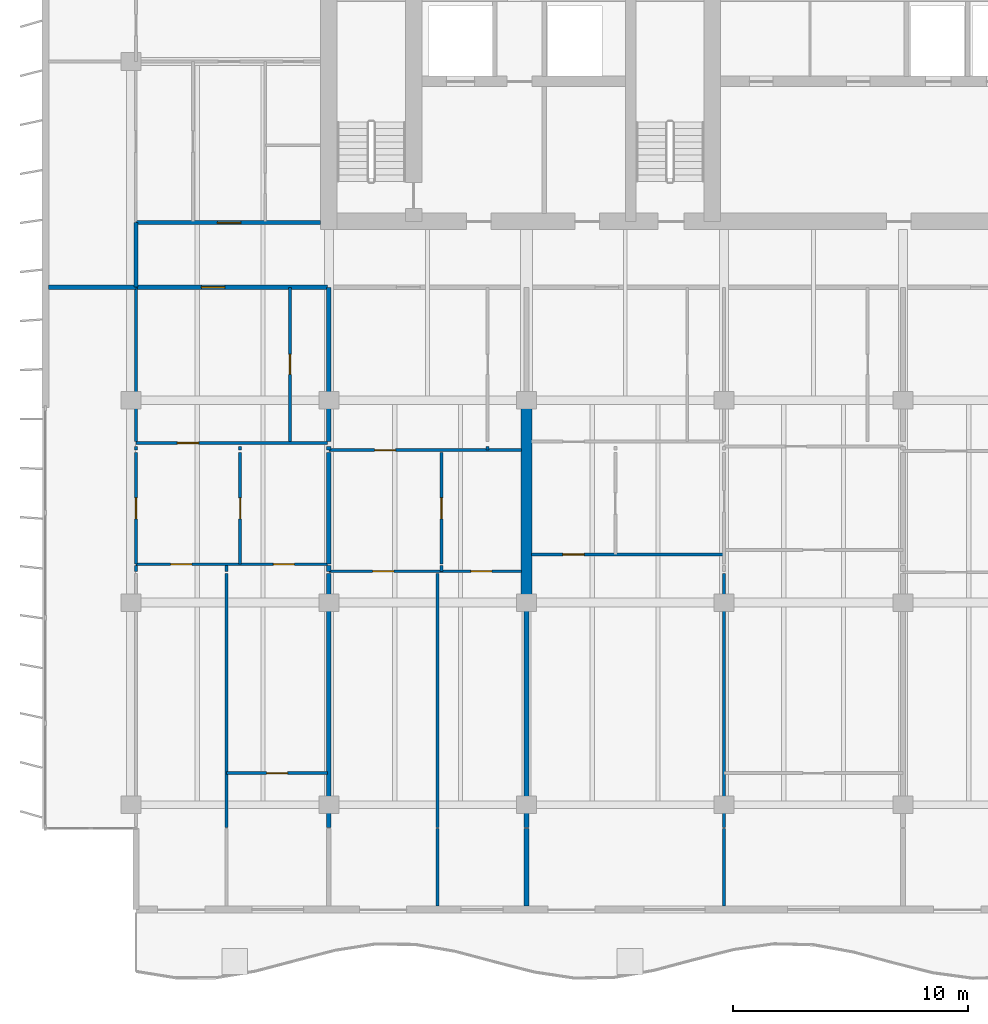
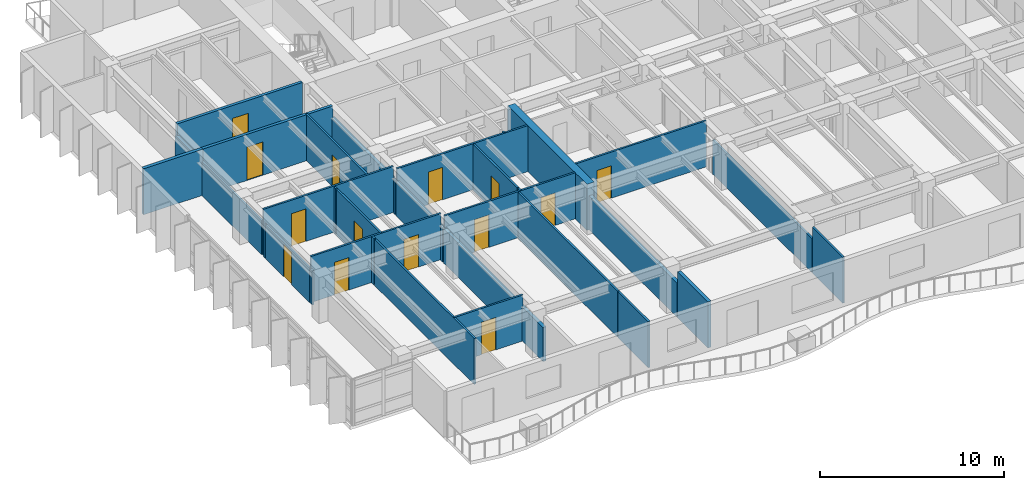
# One storey, part 8 of 19: 34 walls, 14 doors, 14 openings.
"""IFC4 building model written with IfcOpenShell, lengths in metres."""

import ifcopenshell
import ifcopenshell.guid

model = None  # the IFC model being written
_history = None  # IfcOwnerHistory: only IFC2X3 demands one
_inside = {}  # id of a spatial element -> (the spatial element, [elements in it])
_under = {}  # id of a project, library or spatial element -> (it, [spatial elements below it])
_declared = {}  # id of a project -> (the project, [libraries it declares])
_typed = {}  # id of a type object -> (the type object, [elements of that type])
_made_of = {}  # id of a material, layer set ... -> (it, [elements and type objects made of it])


def new_model(schema):
    """Start an empty IFC model of exactly this schema.

    Asked for "IFC4X3", IfcOpenShell would pick the latest addendum, in which some entities
    have other attributes; the version numbers below select the first issue.
    IFC2X3 requires an IfcOwnerHistory on every rooted entity: one is made here for all.
    """
    global model, _history
    if schema == "IFC4X3":
        model = ifcopenshell.file(schema_version=(4, 3, 0, 0))
    else:
        model = ifcopenshell.file(schema=schema)
    _inside.clear()
    _under.clear()
    _declared.clear()
    _typed.clear()
    _made_of.clear()
    _history = None
    if model.schema == "IFC2X3":
        org = make("IfcOrganization", Name="unknown")
        user = make(
            "IfcPersonAndOrganization",
            ThePerson=make("IfcPerson", FamilyName="unknown"),
            TheOrganization=org,
        )
        app = make(
            "IfcApplication",
            ApplicationDeveloper=org,
            Version="unknown",
            ApplicationFullName="unknown",
            ApplicationIdentifier="unknown",
        )
        _history = make(
            "IfcOwnerHistory",
            OwningUser=user,
            OwningApplication=app,
            ChangeAction="ADDED",
            CreationDate=0,
        )
    return model


def make(cls, **values):
    """One entity of the class cls with the attributes given. An attribute that is None is left unset."""
    return model.create_entity(
        cls, **{name: value for name, value in values.items() if value is not None}
    )


def rooted(cls, **values):
    """An entity with a GlobalId (a new one), such as an element, a storey or a relation."""
    return make(cls, GlobalId=ifcopenshell.guid.new(), OwnerHistory=_history, **values)


def si_unit(unit_type, name, prefix=None):
    """IfcSIUnit, for example si_unit("LENGTHUNIT", "METRE", prefix="MILLI")."""
    return make("IfcSIUnit", UnitType=unit_type, Prefix=prefix, Name=name)


def assignment(units):
    """IfcUnitAssignment: the units of a project."""
    return None if units is None else make("IfcUnitAssignment", Units=units)


def point(xyz):
    """IfcCartesianPoint."""
    return None if xyz is None else make("IfcCartesianPoint", Coordinates=xyz)


def direction(xyz):
    """IfcDirection."""
    return None if xyz is None else make("IfcDirection", DirectionRatios=xyz)


def frame(location, z_axis=None, x_axis=None):
    """IfcAxis2Placement3D, a coordinate frame: its origin and axes. An axis left out is left unset."""
    return make(
        "IfcAxis2Placement3D",
        Location=point(location),
        Axis=direction(z_axis),
        RefDirection=direction(x_axis),
    )


def frame_2d(location, x_axis=None):
    """IfcAxis2Placement2D, a coordinate frame in the plane: its origin and x axis."""
    return make(
        "IfcAxis2Placement2D", Location=point(location), RefDirection=direction(x_axis)
    )


def origin():
    """The frame at (0, 0, 0) with its axes left unset."""
    return frame((0.0, 0.0, 0.0))


def place(relative_to, where):
    """IfcLocalPlacement: puts the frame where relative to a parent placement (None: the world)."""
    return make(
        "IfcLocalPlacement", PlacementRelTo=relative_to, RelativePlacement=where
    )


def context(
    kind, dimensions, precision=None, world=None, true_north=None, identifier=None
):
    """IfcGeometricRepresentationContext, for example the 3D "Model" context."""
    return make(
        "IfcGeometricRepresentationContext",
        ContextIdentifier=identifier,
        ContextType=kind,
        CoordinateSpaceDimension=dimensions,
        Precision=precision,
        WorldCoordinateSystem=world,
        TrueNorth=true_north,
    )


def subcontext(parent, identifier, kind, view, scale=None):
    """IfcGeometricRepresentationSubContext, for example "Body" below "Model"."""
    return make(
        "IfcGeometricRepresentationSubContext",
        ContextIdentifier=identifier,
        ContextType=kind,
        ParentContext=parent,
        TargetScale=scale,
        TargetView=view,
    )


def project(units=None, contexts=None):
    """IfcProject with its units and contexts."""
    return rooted(
        "IfcProject",
        Name="project",
        RepresentationContexts=contexts,
        UnitsInContext=assignment(units),
    )


def spatial(cls, under=None, at=None, **own):
    """A site, building, storey or space (cls), placed at a placement, below another one or the project."""
    s = rooted(cls, ObjectPlacement=at, **own)
    if under is not None:
        _under.setdefault(under.id(), (under, []))[1].append(s)
    return s


def profile(cls, at=None, kind="AREA", **sizes):
    """A parametric profile (cls). Its sizes go by their IFC names, for example OverallWidth=200.0."""
    return make(cls, ProfileType=kind, Position=at, **sizes)


def rectangle(**sizes):
    """IfcRectangleProfileDef."""
    return profile("IfcRectangleProfileDef", **sizes)


def extrude(swept, where, along, depth):
    """IfcExtrudedAreaSolid: the profile swept, set in the frame where, extruded along a direction by depth."""
    return make(
        "IfcExtrudedAreaSolid",
        SweptArea=swept,
        Position=where,
        ExtrudedDirection=direction(along),
        Depth=depth,
    )


def shape(context_of_items, identifier, shape_type, items):
    """IfcShapeRepresentation: the items that make up one representation, for example the "Body"."""
    return make(
        "IfcShapeRepresentation",
        ContextOfItems=context_of_items,
        RepresentationIdentifier=identifier,
        RepresentationType=shape_type,
        Items=items,
    )


def material(Name=None, Category=None):
    """IfcMaterial."""
    return make("IfcMaterial", Name=Name, Category=Category)


def layer(
    of_material, thickness, ventilated=None, Name=None, Category=None, Priority=None
):
    """IfcMaterialLayer: one layer of a wall or slab, of a material (None: an air gap)."""
    return make(
        "IfcMaterialLayer",
        Material=of_material,
        LayerThickness=thickness,
        IsVentilated=ventilated,
        Name=Name,
        Category=Category,
        Priority=Priority,
    )


def layer_set(layers, Name=None):
    """IfcMaterialLayerSet."""
    return make("IfcMaterialLayerSet", MaterialLayers=layers, LayerSetName=Name)


def made_of(thing, what):
    """Note that an element or type object is made of a material, layer set ...; save() writes the relation."""
    if what is not None:
        _made_of.setdefault(what.id(), (what, []))[1].append(thing)
    return thing


def type_object(cls, material=None, **own):
    """A type object (cls), such as IfcWallType, which elements share."""
    return made_of(rooted(cls, **own), material)


def element(
    cls,
    number,
    at=None,
    inside=None,
    cuts=None,
    type_object=None,
    material=None,
    context=None,
    identifier="Body",
    shape_type=None,
    held_by="IfcProductDefinitionShape",
    body=None,
    shapes=None,
    **own,
):
    """One element of the class cls, such as IfcWall. Its Tag is "e" and its number.

    at: its placement. inside: the storey or other place that contains it. cuts: it is an
    opening in that element (IfcRelVoidsElement). A single representation is given by context,
    identifier, shape_type and body (its items); several are given by shapes. held_by: the class
    of the entity that holds the representations. save() writes the other relations.
    """
    e = rooted(cls, Tag="e%d" % number, ObjectPlacement=at, **own)
    if body is not None:
        shapes = [shape(context, identifier, shape_type, body)]
    if shapes is not None:
        e.Representation = make(held_by, Representations=shapes)
    if inside is not None:
        _inside.setdefault(inside.id(), (inside, []))[1].append(e)
    if cuts is not None:
        rooted(
            "IfcRelVoidsElement", RelatingBuildingElement=cuts, RelatedOpeningElement=e
        )
    if type_object is not None:
        _typed.setdefault(type_object.id(), (type_object, []))[1].append(e)
    return made_of(e, material)


def fill(opening, filler):
    """IfcRelFillsElement: the door or window that sits in an opening."""
    return rooted(
        "IfcRelFillsElement",
        RelatingOpeningElement=opening,
        RelatedBuildingElement=filler,
    )


def aggregate(whole, parts):
    """IfcRelAggregates: a whole, such as a stair, and the parts it consists of."""
    return rooted("IfcRelAggregates", RelatingObject=whole, RelatedObjects=parts)


def save(model, path):
    """Write the relations noted so far, then the file.

    IfcRelAggregates (storeys below a building ...), IfcRelContainedInSpatialStructure (elements
    in a storey), IfcRelDefinesByType, IfcRelAssociatesMaterial and IfcRelDeclares: one each for
    every whole, place, type object, material and project.
    """
    for whole, parts in _under.values():
        aggregate(whole, parts)
    for where, things in _inside.values():
        rooted(
            "IfcRelContainedInSpatialStructure",
            RelatedElements=things,
            RelatingStructure=where,
        )
    for kind, things in _typed.values():
        rooted("IfcRelDefinesByType", RelatedObjects=things, RelatingType=kind)
    for what, things in _made_of.values():
        rooted("IfcRelAssociatesMaterial", RelatedObjects=things, RelatingMaterial=what)
    for by, libraries in _declared.values():
        rooted("IfcRelDeclares", RelatingContext=by, RelatedDefinitions=libraries)
    model.write(path)


model = new_model("IFC4")

# Units and contexts
model_context = context("Model", 3, precision=1e-05, world=origin(), true_north=direction((0.0, 1.0)))
body_context = subcontext(model_context, "Body", "Model", "MODEL_VIEW")
ifc_project = project(units=[si_unit("LENGTHUNIT", "METRE"), si_unit("AREAUNIT", "SQUARE_METRE"), si_unit("VOLUMEUNIT", "CUBIC_METRE"), si_unit("PLANEANGLEUNIT", "RADIAN"), si_unit("MASSUNIT", "GRAM", prefix="KILO")], contexts=[model_context])

# Site, building, storey
site_placement = place(None, origin())
site = spatial("IfcSite", under=ifc_project, at=site_placement, CompositionType="ELEMENT")
building_placement = place(site_placement, origin())
building = spatial("IfcBuilding", under=site, at=building_placement, Name="Caelmar Bay Residences", CompositionType="ELEMENT")
storey_placement = place(building_placement, frame((0.0, 0.0, 160.5)))
storey = spatial("IfcBuildingStorey", under=building, at=storey_placement, Name="L44", CompositionType="ELEMENT", Elevation=160.5)

# Walls
ifc_material_1 = material(Name="Concrete f'c 55 MPa (8,000 psi)", Category="concrete")
ifc_layer_1 = layer(ifc_material_1, 0.449951171875)
ifc_layer_set_1 = layer_set([ifc_layer_1], Name="Concrete f'c 55 MPa (8,000 psi)")
wall_type_1 = type_object("IfcWallType", Name="SW-XSLB-450", PredefinedType="SHEAR", material=ifc_layer_set_1)
wall_1_placement = place(storey_placement, frame((26.699951171875, 20.800048828125, 0.0), z_axis=(0.0, 0.0, 1.0), x_axis=(0.0, 1.0, 0.0)))
element("IfcWall", 1, at=wall_1_placement, inside=storey, type_object=wall_type_1, Name="L44 Transverse Cross-Slab Shear Wall W5", PredefinedType="SHEAR", context=body_context, shape_type="SweptSolid", body=[
    extrude(rectangle(XDim=8.599853515625, YDim=0.449951171875, at=frame_2d((4.2998046875, 0.0))), origin(), (0.0, 0.0, 1.0), 3.050048828125),
])
ifc_material_2 = material(Name="Double-stud acoustic fire-rated gypsum partition 180 mm")
ifc_layer_2 = layer(ifc_material_2, 0.179931640625)
ifc_layer_set_2 = layer_set([ifc_layer_2], Name="Double-stud acoustic fire-rated gypsum partition 180 mm")
wall_type_2 = type_object("IfcWallType", Name="W-COR-200", PredefinedType="PARTITIONING", material=ifc_layer_set_2)
wall_2_placement = place(storey_placement, frame((10.10009765625, 34.205078125, 0.0), z_axis=(0.0, 0.0, 1.0), x_axis=(0.0, 1.0, 0.0)))
element("IfcWall", 2, at=wall_2_placement, inside=storey, type_object=wall_type_2, Name="L44 Partition Wall V006", PredefinedType="PARTITIONING", context=body_context, shape_type="SweptSolid", body=[
    extrude(rectangle(XDim=2.744873046875, YDim=0.179931640625, at=frame_2d((1.37255859375, 0.0))), origin(), (0.0, 0.0, 1.0), 2.262939453125),
])

# Wall, opening, door
wall_3_placement = place(storey_placement, frame((10.10498046875, 34.199951171875, 0.0), z_axis=(0.0, 0.0, 1.0), x_axis=(1.0, 0.0, 0.0)))
wall_3 = element("IfcWall", 3, at=wall_3_placement, inside=storey, type_object=wall_type_2, Name="L44 Partition Wall H122", PredefinedType="PARTITIONING", context=body_context, shape_type="SweptSolid", body=[
    extrude(rectangle(XDim=8.14501953125, YDim=0.179931640625, at=frame_2d((4.072509765625, 0.0))), origin(), (0.0, 0.0, 1.0), 3.050048828125),
])
opening_1_placement = place(wall_3_placement, frame((2.7724609375, 0.0, 0.0)))
opening_1 = element("IfcOpeningElement", 4, at=opening_1_placement, cuts=wall_3, Name="Opening D-L44-122", PredefinedType="OPENING", context=body_context, shape_type="SweptSolid", body=[
    extrude(rectangle(XDim=1.0, YDim=2.199951171875, at=frame_2d((0.5, 1.10009765625))), frame((0.0, 0.099853515625, 0.0), z_axis=(0.0, -1.0, 0.0), x_axis=(1.0, 0.0, 0.0)), (0.0, 0.0, 1.0), 0.199951171875),
])
ifc_material_3 = material(Name="Fire-rated steel and walnut architectural door assembly", Category="steel")
ifc_layer_3 = layer(ifc_material_3, 0.050048828125)
ifc_layer_set_3 = layer_set([ifc_layer_3], Name="Fire-rated steel and walnut architectural door assembly")
door_type_1 = type_object("IfcDoorType", Name="D-UNIT-1000", OperationType="NOTDEFINED", PredefinedType="DOOR", material=ifc_layer_set_3)
door_1_placement = place(opening_1_placement, origin())
door_1 = element("IfcDoor", 5, at=door_1_placement, inside=storey, type_object=door_type_1, Name="L44 Residence 01 Apartment Hall Door", OperationType="SINGLE_SWING_LEFT", OverallHeight=2.199951171875, OverallWidth=1.0, PredefinedType="DOOR", context=body_context, shape_type="SweptSolid", body=[
    extrude(rectangle(XDim=1.0, YDim=2.199951171875, at=frame_2d((0.5, 1.10009765625))), frame((0.0, 0.02490234375, 0.0), z_axis=(0.0, -1.0, 0.0), x_axis=(1.0, 0.0, 0.0)), (0.0, 0.0, 1.0), 0.050048828125),
])
fill(opening_1, door_1)

wall_4_placement = place(storey_placement, frame((10.10009765625, 36.949951171875, 0.0), z_axis=(0.0, 0.0, 1.0), x_axis=(1.0, 0.0, 0.0)))
wall_4 = element("IfcWall", 6, at=wall_4_placement, inside=storey, type_object=wall_type_2, Name="L44 Partition Wall H127", PredefinedType="PARTITIONING", context=body_context, shape_type="SweptSolid", body=[
    extrude(rectangle(XDim=7.844970703125, YDim=0.179931640625, at=frame_2d((3.92236328125, 0.0))), origin(), (0.0, 0.0, 1.0), 3.050048828125),
])
opening_2_placement = place(wall_4_placement, frame((3.4599609375, 0.0, 0.0)))
opening_2 = element("IfcOpeningElement", 7, at=opening_2_placement, cuts=wall_4, Name="Opening D-L44-167", PredefinedType="OPENING", context=body_context, shape_type="SweptSolid", body=[
    extrude(rectangle(XDim=1.0, YDim=2.199951171875, at=frame_2d((0.5, 1.10009765625))), frame((0.0, 0.099853515625, 0.0), z_axis=(0.0, -1.0, 0.0), x_axis=(1.0, 0.0, 0.0)), (0.0, 0.0, 1.0), 0.199951171875),
])
door_2_placement = place(opening_2_placement, origin())
door_2 = element("IfcDoor", 8, at=door_2_placement, inside=storey, type_object=door_type_1, Name="L44 Residence WA Kitchen Door", OperationType="SINGLE_SWING_RIGHT", OverallHeight=2.199951171875, OverallWidth=1.0, PredefinedType="DOOR", context=body_context, shape_type="SweptSolid", body=[
    extrude(rectangle(XDim=1.0, YDim=2.199951171875, at=frame_2d((0.5, 1.10009765625))), frame((0.0, 0.02490234375, 0.0), z_axis=(0.0, -1.0, 0.0), x_axis=(1.0, 0.0, 0.0)), (0.0, 0.0, 1.0), 0.050048828125),
])
fill(opening_2, door_2)

# Wall
ifc_material_4 = material(Name="Acoustic metal-stud gypsum partition 120 mm")
ifc_layer_4 = layer(ifc_material_4, 0.1201171875)
ifc_layer_set_4 = layer_set([ifc_layer_4], Name="Acoustic metal-stud gypsum partition 120 mm")
wall_type_3 = type_object("IfcWallType", Name="W-PRT-120", PredefinedType="PARTITIONING", material=ifc_layer_set_4)
wall_5_placement = place(storey_placement, frame((10.10009765625, 22.1298828125, 0.0), z_axis=(0.0, 0.0, 1.0), x_axis=(0.0, 1.0, 0.0)))
element("IfcWall", 9, at=wall_5_placement, inside=storey, type_object=wall_type_3, Name="L44 Partition Wall V002", PredefinedType="PARTITIONING", context=body_context, shape_type="SweptSolid", body=[
    extrude(rectangle(XDim=0.240234375, YDim=0.1201171875, at=frame_2d((0.1201171875, 0.0))), origin(), (0.0, 0.0, 1.0), 2.262939453125),
])

# Wall, opening, door
wall_6_placement = place(storey_placement, frame((10.10009765625, 22.429931640625, 0.0), z_axis=(0.0, 0.0, 1.0), x_axis=(0.0, 1.0, 0.0)))
wall_6 = element("IfcWall", 10, at=wall_6_placement, inside=storey, type_object=wall_type_3, Name="L44 Partition Wall V003", PredefinedType="PARTITIONING", context=body_context, shape_type="SweptSolid", body=[
    extrude(rectangle(XDim=4.75, YDim=0.1201171875, at=frame_2d((2.375, 0.0))), origin(), (0.0, 0.0, 1.0), 2.262939453125),
])
opening_3_placement = place(wall_6_placement, frame((1.925048828125, 0.0, 0.0)))
opening_3 = element("IfcOpeningElement", 11, at=opening_3_placement, cuts=wall_6, Name="Opening D-L44-164", PredefinedType="OPENING", context=body_context, shape_type="SweptSolid", body=[
    extrude(rectangle(XDim=0.89990234375, YDim=2.14990234375, at=frame_2d((0.449951171875, 1.074951171875))), frame((0.0, 0.070068359375, 0.0), z_axis=(0.0, -1.0, 0.0), x_axis=(1.0, 0.0, 0.0)), (0.0, 0.0, 1.0), 0.14013671875),
])
ifc_material_5 = material(Name="Solid walnut timber interior door leaf and frame", Category="wood")
ifc_layer_5 = layer(ifc_material_5, 0.050048828125)
ifc_layer_set_5 = layer_set([ifc_layer_5], Name="Solid walnut timber interior door leaf and frame")
door_type_2 = type_object("IfcDoorType", Name="D-ROOM-900", OperationType="NOTDEFINED", PredefinedType="DOOR", material=ifc_layer_set_5)
door_3_placement = place(opening_3_placement, origin())
door_3 = element("IfcDoor", 12, at=door_3_placement, inside=storey, type_object=door_type_2, Name="L44 Residence 01 Penthouse West Salon Door", OperationType="SINGLE_SWING_LEFT", OverallHeight=2.14990234375, OverallWidth=0.89990234375, PredefinedType="DOOR", context=body_context, shape_type="SweptSolid", body=[
    extrude(rectangle(XDim=0.89990234375, YDim=2.14990234375, at=frame_2d((0.449951171875, 1.074951171875))), frame((0.0, 0.02490234375, 0.0), z_axis=(0.0, -1.0, 0.0), x_axis=(1.0, 0.0, 0.0)), (0.0, 0.0, 1.0), 0.050048828125),
])
fill(opening_3, door_3)

# Walls
wall_7_placement = place(storey_placement, frame((10.10009765625, 27.280029296875, 0.0), z_axis=(0.0, 0.0, 1.0), x_axis=(0.0, 1.0, 0.0)))
element("IfcWall", 13, at=wall_7_placement, inside=storey, type_object=wall_type_3, Name="L44 Partition Wall V004", PredefinedType="PARTITIONING", context=body_context, shape_type="SweptSolid", body=[
    extrude(rectangle(XDim=0.159912109375, YDim=0.1201171875, at=frame_2d((0.080078125, 0.0))), origin(), (0.0, 0.0, 1.0), 2.262939453125),
])
wall_8_placement = place(storey_placement, frame((10.10009765625, 27.639892578125, 0.0), z_axis=(0.0, 0.0, 1.0), x_axis=(0.0, 1.0, 0.0)))
element("IfcWall", 14, at=wall_8_placement, inside=storey, type_object=wall_type_3, Name="L44 Partition Wall V005", PredefinedType="PARTITIONING", context=body_context, shape_type="SweptSolid", body=[
    extrude(rectangle(XDim=6.56005859375, YDim=0.1201171875, at=frame_2d((3.280029296875, 0.0))), origin(), (0.0, 0.0, 1.0), 2.262939453125),
])
wall_9_placement = place(storey_placement, frame((13.9541015625, 11.239990234375, 0.0), z_axis=(0.0, 0.0, 1.0), x_axis=(0.0, 1.0, 0.0)))
element("IfcWall", 15, at=wall_9_placement, inside=storey, type_object=wall_type_3, Name="L44 Partition Wall V011", PredefinedType="PARTITIONING", context=body_context, shape_type="SweptSolid", body=[
    extrude(rectangle(XDim=10.7900390625, YDim=0.1201171875, at=frame_2d((5.39501953125, 0.0))), origin(), (0.0, 0.0, 1.0), 3.050048828125),
])
wall_10_placement = place(storey_placement, frame((13.9541015625, 22.1298828125, 0.0), z_axis=(0.0, 0.0, 1.0), x_axis=(0.0, 1.0, 0.0)))
element("IfcWall", 16, at=wall_10_placement, inside=storey, type_object=wall_type_3, Name="L44 Partition Wall V012", PredefinedType="PARTITIONING", context=body_context, shape_type="SweptSolid", body=[
    extrude(rectangle(XDim=0.240234375, YDim=0.1201171875, at=frame_2d((0.1201171875, 0.0))), origin(), (0.0, 0.0, 1.0), 3.050048828125),
])

# Wall, opening, door
wall_11_placement = place(storey_placement, frame((14.528076171875, 22.429931640625, 0.0), z_axis=(0.0, 0.0, 1.0), x_axis=(0.0, 1.0, 0.0)))
wall_11 = element("IfcWall", 17, at=wall_11_placement, inside=storey, type_object=wall_type_3, Name="L44 Partition Wall V013", PredefinedType="PARTITIONING", context=body_context, shape_type="SweptSolid", body=[
    extrude(rectangle(XDim=4.75, YDim=0.1201171875, at=frame_2d((2.375, 0.0))), origin(), (0.0, 0.0, 1.0), 3.050048828125),
])
opening_4_placement = place(wall_11_placement, frame((1.925048828125, 0.0, 0.0)))
opening_4 = element("IfcOpeningElement", 18, at=opening_4_placement, cuts=wall_11, Name="Opening D-L44-125", PredefinedType="OPENING", context=body_context, shape_type="SweptSolid", body=[
    extrude(rectangle(XDim=0.89990234375, YDim=2.14990234375, at=frame_2d((0.449951171875, 1.074951171875))), frame((0.0, 0.070068359375, 0.0), z_axis=(0.0, -1.0, 0.0), x_axis=(1.0, 0.0, 0.0)), (0.0, 0.0, 1.0), 0.14013671875),
])
door_4_placement = place(opening_4_placement, origin())
door_4 = element("IfcDoor", 19, at=door_4_placement, inside=storey, type_object=door_type_2, Name="L44 Residence 01 Study Door", OperationType="SINGLE_SWING_RIGHT", OverallHeight=2.14990234375, OverallWidth=0.89990234375, PredefinedType="DOOR", context=body_context, shape_type="SweptSolid", body=[
    extrude(rectangle(XDim=0.89990234375, YDim=2.14990234375, at=frame_2d((0.449951171875, 1.074951171875))), frame((0.0, 0.02490234375, 0.0), z_axis=(0.0, -1.0, 0.0), x_axis=(1.0, 0.0, 0.0)), (0.0, 0.0, 1.0), 0.050048828125),
])
fill(opening_4, door_4)

# Wall
wall_12_placement = place(storey_placement, frame((14.528076171875, 27.280029296875, 0.0), z_axis=(0.0, 0.0, 1.0), x_axis=(0.0, 1.0, 0.0)))
element("IfcWall", 20, at=wall_12_placement, inside=storey, type_object=wall_type_3, Name="L44 Partition Wall V014", PredefinedType="PARTITIONING", context=body_context, shape_type="SweptSolid", body=[
    extrude(rectangle(XDim=0.159912109375, YDim=0.1201171875, at=frame_2d((0.080078125, 0.0))), origin(), (0.0, 0.0, 1.0), 3.050048828125),
])

# Wall, opening, door
wall_13_placement = place(storey_placement, frame((16.64990234375, 27.639892578125, 0.0), z_axis=(0.0, 0.0, 1.0), x_axis=(0.0, 1.0, 0.0)))
wall_13 = element("IfcWall", 21, at=wall_13_placement, inside=storey, type_object=wall_type_3, Name="L44 Partition Wall V016", PredefinedType="PARTITIONING", context=body_context, shape_type="SweptSolid", body=[
    extrude(rectangle(XDim=6.56005859375, YDim=0.1201171875, at=frame_2d((3.280029296875, 0.0))), origin(), (0.0, 0.0, 1.0), 3.050048828125),
])
opening_5_placement = place(wall_13_placement, frame((2.85498046875, 0.0, 0.0)))
opening_5 = element("IfcOpeningElement", 22, at=opening_5_placement, cuts=wall_13, Name="Opening D-L44-123", PredefinedType="OPENING", context=body_context, shape_type="SweptSolid", body=[
    extrude(rectangle(XDim=0.85009765625, YDim=2.10009765625, at=frame_2d((0.425048828125, 1.050048828125))), frame((0.0, 0.070068359375, 0.0), z_axis=(0.0, -1.0, 0.0), x_axis=(1.0, 0.0, 0.0)), (0.0, 0.0, 1.0), 0.14013671875),
])
ifc_layer_6 = layer(ifc_material_5, 0.050048828125)
ifc_layer_set_6 = layer_set([ifc_layer_6], Name="Solid walnut timber interior door leaf and frame")
door_type_3 = type_object("IfcDoorType", Name="D-BATH-850", OperationType="NOTDEFINED", PredefinedType="DOOR", material=ifc_layer_set_6)
door_5_placement = place(opening_5_placement, origin())
door_5 = element("IfcDoor", 23, at=door_5_placement, inside=storey, type_object=door_type_3, Name="L44 Residence 01 Bathroom Door", OperationType="SINGLE_SWING_RIGHT", OverallHeight=2.10009765625, OverallWidth=0.85009765625, PredefinedType="DOOR", context=body_context, shape_type="SweptSolid", body=[
    extrude(rectangle(XDim=0.85009765625, YDim=2.10009765625, at=frame_2d((0.425048828125, 1.050048828125))), frame((0.0, 0.02490234375, 0.0), z_axis=(0.0, -1.0, 0.0), x_axis=(1.0, 0.0, 0.0)), (0.0, 0.0, 1.0), 0.050048828125),
])
fill(opening_5, door_5)

# Walls
wall_14_placement = place(storey_placement, frame((22.919921875, 7.89501953125, 0.0), z_axis=(0.0, 0.0, 1.0), x_axis=(0.0, 1.0, 0.0)))
element("IfcWall", 24, at=wall_14_placement, inside=storey, type_object=wall_type_3, Name="L44 Partition Wall V024", PredefinedType="PARTITIONING", context=body_context, shape_type="SweptSolid", body=[
    extrude(rectangle(XDim=3.304931640625, YDim=0.1201171875, at=frame_2d((1.65234375, 0.0))), origin(), (0.0, 0.0, 1.0), 3.050048828125),
])
wall_15_placement = place(storey_placement, frame((22.919921875, 11.239990234375, 0.0), z_axis=(0.0, 0.0, 1.0), x_axis=(0.0, 1.0, 0.0)))
element("IfcWall", 25, at=wall_15_placement, inside=storey, type_object=wall_type_3, Name="L44 Partition Wall V025", PredefinedType="PARTITIONING", context=body_context, shape_type="SweptSolid", body=[
    extrude(rectangle(XDim=10.7900390625, YDim=0.1201171875, at=frame_2d((5.39501953125, 0.0))), origin(), (0.0, 0.0, 1.0), 3.050048828125),
])
wall_16_placement = place(storey_placement, frame((23.0859375, 22.1298828125, 0.0), z_axis=(0.0, 0.0, 1.0), x_axis=(0.0, 1.0, 0.0)))
element("IfcWall", 26, at=wall_16_placement, inside=storey, type_object=wall_type_3, Name="L44 Partition Wall V026", PredefinedType="PARTITIONING", context=body_context, shape_type="SweptSolid", body=[
    extrude(rectangle(XDim=0.240234375, YDim=0.1201171875, at=frame_2d((0.1201171875, 0.0))), origin(), (0.0, 0.0, 1.0), 3.050048828125),
])

# Wall, opening, door
wall_17_placement = place(storey_placement, frame((23.0859375, 22.429931640625, 0.0), z_axis=(0.0, 0.0, 1.0), x_axis=(0.0, 1.0, 0.0)))
wall_17 = element("IfcWall", 27, at=wall_17_placement, inside=storey, type_object=wall_type_3, Name="L44 Partition Wall V027", PredefinedType="PARTITIONING", context=body_context, shape_type="SweptSolid", body=[
    extrude(rectangle(XDim=4.75, YDim=0.1201171875, at=frame_2d((2.375, 0.0))), origin(), (0.0, 0.0, 1.0), 3.050048828125),
])
opening_6_placement = place(wall_17_placement, frame((1.925048828125, 0.0, 0.0)))
opening_6 = element("IfcOpeningElement", 28, at=opening_6_placement, cuts=wall_17, Name="Opening D-L44-132", PredefinedType="OPENING", context=body_context, shape_type="SweptSolid", body=[
    extrude(rectangle(XDim=0.89990234375, YDim=2.14990234375, at=frame_2d((0.449951171875, 1.074951171875))), frame((0.0, 0.070068359375, 0.0), z_axis=(0.0, -1.0, 0.0), x_axis=(1.0, 0.0, 0.0)), (0.0, 0.0, 1.0), 0.14013671875),
])
door_6_placement = place(opening_6_placement, origin())
door_6 = element("IfcDoor", 29, at=door_6_placement, inside=storey, type_object=door_type_2, Name="L44 Residence 02 Study Door", OperationType="SINGLE_SWING_LEFT", OverallHeight=2.14990234375, OverallWidth=0.89990234375, PredefinedType="DOOR", context=body_context, shape_type="SweptSolid", body=[
    extrude(rectangle(XDim=0.89990234375, YDim=2.14990234375, at=frame_2d((0.449951171875, 1.074951171875))), frame((0.0, 0.02490234375, 0.0), z_axis=(0.0, -1.0, 0.0), x_axis=(1.0, 0.0, 0.0)), (0.0, 0.0, 1.0), 0.050048828125),
])
fill(opening_6, door_6)

# Walls
wall_18_placement = place(storey_placement, frame((25.050048828125, 27.280029296875, 0.0), z_axis=(0.0, 0.0, 1.0), x_axis=(0.0, 1.0, 0.0)))
element("IfcWall", 30, at=wall_18_placement, inside=storey, type_object=wall_type_3, Name="L44 Partition Wall V028", PredefinedType="PARTITIONING", context=body_context, shape_type="SweptSolid", body=[
    extrude(rectangle(XDim=0.159912109375, YDim=0.1201171875, at=frame_2d((0.080078125, 0.0))), origin(), (0.0, 0.0, 1.0), 3.050048828125),
])
wall_19_placement = place(storey_placement, frame((35.10009765625, 7.89501953125, 0.0), z_axis=(0.0, 0.0, 1.0), x_axis=(0.0, 1.0, 0.0)))
element("IfcWall", 31, at=wall_19_placement, inside=storey, type_object=wall_type_3, Name="L44 Partition Wall V040", PredefinedType="PARTITIONING", context=body_context, shape_type="SweptSolid", body=[
    extrude(rectangle(XDim=3.304931640625, YDim=0.1201171875, at=frame_2d((1.65234375, 0.0))), origin(), (0.0, 0.0, 1.0), 3.050048828125),
])
wall_20_placement = place(storey_placement, frame((35.10009765625, 11.239990234375, 0.0), z_axis=(0.0, 0.0, 1.0), x_axis=(0.0, 1.0, 0.0)))
element("IfcWall", 32, at=wall_20_placement, inside=storey, type_object=wall_type_3, Name="L44 Partition Wall V041", PredefinedType="PARTITIONING", context=body_context, shape_type="SweptSolid", body=[
    extrude(rectangle(XDim=10.7900390625, YDim=0.1201171875, at=frame_2d((5.39501953125, 0.0))), origin(), (0.0, 0.0, 1.0), 2.262939453125),
])

# Wall, opening, door
wall_21_placement = place(storey_placement, frame((13.9541015625, 13.550048828125, 0.0), z_axis=(0.0, 0.0, 1.0), x_axis=(1.0, 0.0, 0.0)))
wall_21 = element("IfcWall", 33, at=wall_21_placement, inside=storey, type_object=wall_type_3, Name="L44 Partition Wall H101", PredefinedType="PARTITIONING", context=body_context, shape_type="SweptSolid", body=[
    extrude(rectangle(XDim=4.2958984375, YDim=0.1201171875, at=frame_2d((2.14794921875, 0.0))), origin(), (0.0, 0.0, 1.0), 3.050048828125),
])
opening_7_placement = place(wall_21_placement, frame((1.697998046875, 0.0, 0.0)))
opening_7 = element("IfcOpeningElement", 34, at=opening_7_placement, cuts=wall_21, Name="Opening D-L44-128", PredefinedType="OPENING", context=body_context, shape_type="SweptSolid", body=[
    extrude(rectangle(XDim=0.89990234375, YDim=2.14990234375, at=frame_2d((0.449951171875, 1.074951171875))), frame((0.0, 0.070068359375, 0.0), z_axis=(0.0, -1.0, 0.0), x_axis=(1.0, 0.0, 0.0)), (0.0, 0.0, 1.0), 0.14013671875),
])
door_7_placement = place(opening_7_placement, origin())
door_7 = element("IfcDoor", 35, at=door_7_placement, inside=storey, type_object=door_type_2, Name="L44 Residence 01 Primary Bedroom Door", OperationType="SINGLE_SWING_LEFT", OverallHeight=2.14990234375, OverallWidth=0.89990234375, PredefinedType="DOOR", context=body_context, shape_type="SweptSolid", body=[
    extrude(rectangle(XDim=0.89990234375, YDim=2.14990234375, at=frame_2d((0.449951171875, 1.074951171875))), frame((0.0, 0.02490234375, 0.0), z_axis=(0.0, -1.0, 0.0), x_axis=(1.0, 0.0, 0.0)), (0.0, 0.0, 1.0), 0.050048828125),
])
fill(opening_7, door_7)

# Wall, openings, doors
wall_22_placement = place(storey_placement, frame((18.300048828125, 22.1298828125, 0.0), z_axis=(0.0, 0.0, 1.0), x_axis=(1.0, 0.0, 0.0)))
wall_22 = element("IfcWall", 36, at=wall_22_placement, inside=storey, type_object=wall_type_3, Name="L44 Partition Wall H107", PredefinedType="PARTITIONING", context=body_context, shape_type="SweptSolid", body=[
    extrude(rectangle(XDim=8.179931640625, YDim=0.1201171875, at=frame_2d((4.08984375, 0.0))), origin(), (0.0, 0.0, 1.0), 3.050048828125),
])
opening_8_placement = place(wall_22_placement, frame((1.860107421875, 0.0, 0.0)))
opening_8 = element("IfcOpeningElement", 37, at=opening_8_placement, cuts=wall_22, Name="Opening D-L44-133", PredefinedType="OPENING", context=body_context, shape_type="SweptSolid", body=[
    extrude(rectangle(XDim=0.89990234375, YDim=2.14990234375, at=frame_2d((0.449951171875, 1.074951171875))), frame((0.0, 0.070068359375, 0.0), z_axis=(0.0, -1.0, 0.0), x_axis=(1.0, 0.0, 0.0)), (0.0, 0.0, 1.0), 0.14013671875),
])
opening_9_placement = place(wall_22_placement, frame((6.032958984375, 0.0, 0.0)))
opening_9 = element("IfcOpeningElement", 38, at=opening_9_placement, cuts=wall_22, Name="Opening D-L44-134", PredefinedType="OPENING", context=body_context, shape_type="SweptSolid", body=[
    extrude(rectangle(XDim=0.89990234375, YDim=2.14990234375, at=frame_2d((0.449951171875, 1.074951171875))), frame((0.0, 0.070068359375, 0.0), z_axis=(0.0, -1.0, 0.0), x_axis=(1.0, 0.0, 0.0)), (0.0, 0.0, 1.0), 0.14013671875),
])
door_8_placement = place(opening_8_placement, origin())
door_8 = element("IfcDoor", 39, at=door_8_placement, inside=storey, type_object=door_type_2, Name="L44 Residence 02 Living Room Door", OperationType="SINGLE_SWING_RIGHT", OverallHeight=2.14990234375, OverallWidth=0.89990234375, PredefinedType="DOOR", context=body_context, shape_type="SweptSolid", body=[
    extrude(rectangle(XDim=0.89990234375, YDim=2.14990234375, at=frame_2d((0.449951171875, 1.074951171875))), frame((0.0, 0.02490234375, 0.0), z_axis=(0.0, -1.0, 0.0), x_axis=(1.0, 0.0, 0.0)), (0.0, 0.0, 1.0), 0.050048828125),
])
fill(opening_8, door_8)
door_9_placement = place(opening_9_placement, origin())
door_9 = element("IfcDoor", 40, at=door_9_placement, inside=storey, type_object=door_type_2, Name="L44 Residence 02 Primary Bedroom Door", OperationType="SINGLE_SWING_LEFT", OverallHeight=2.14990234375, OverallWidth=0.89990234375, PredefinedType="DOOR", context=body_context, shape_type="SweptSolid", body=[
    extrude(rectangle(XDim=0.89990234375, YDim=2.14990234375, at=frame_2d((0.449951171875, 1.074951171875))), frame((0.0, 0.02490234375, 0.0), z_axis=(0.0, -1.0, 0.0), x_axis=(1.0, 0.0, 0.0)), (0.0, 0.0, 1.0), 0.050048828125),
])
fill(opening_9, door_9)

wall_23_placement = place(storey_placement, frame((10.10009765625, 22.429931640625, 0.0), z_axis=(0.0, 0.0, 1.0), x_axis=(1.0, 0.0, 0.0)))
wall_23 = element("IfcWall", 41, at=wall_23_placement, inside=storey, type_object=wall_type_3, Name="L44 Partition Wall H110", PredefinedType="PARTITIONING", context=body_context, shape_type="SweptSolid", body=[
    extrude(rectangle(XDim=8.14990234375, YDim=0.1201171875, at=frame_2d((4.074951171875, 0.0))), origin(), (0.0, 0.0, 1.0), 3.050048828125),
])
opening_10_placement = place(wall_23_placement, frame((1.47705078125, 0.0, 0.0)))
opening_10 = element("IfcOpeningElement", 42, at=opening_10_placement, cuts=wall_23, Name="Opening D-L44-126", PredefinedType="OPENING", context=body_context, shape_type="SweptSolid", body=[
    extrude(rectangle(XDim=0.89990234375, YDim=2.14990234375, at=frame_2d((0.449951171875, 1.074951171875))), frame((0.0, 0.070068359375, 0.0), z_axis=(0.0, -1.0, 0.0), x_axis=(1.0, 0.0, 0.0)), (0.0, 0.0, 1.0), 0.14013671875),
])
opening_11_placement = place(wall_23_placement, frame((5.839111328125, 0.0, 0.0)))
opening_11 = element("IfcOpeningElement", 43, at=opening_11_placement, cuts=wall_23, Name="Opening D-L44-127", PredefinedType="OPENING", context=body_context, shape_type="SweptSolid", body=[
    extrude(rectangle(XDim=0.89990234375, YDim=2.14990234375, at=frame_2d((0.449951171875, 1.074951171875))), frame((0.0, 0.070068359375, 0.0), z_axis=(0.0, -1.0, 0.0), x_axis=(1.0, 0.0, 0.0)), (0.0, 0.0, 1.0), 0.14013671875),
])
door_10_placement = place(opening_10_placement, origin())
door_10 = element("IfcDoor", 44, at=door_10_placement, inside=storey, type_object=door_type_2, Name="L44 Residence 01 Living Room Door", OperationType="SINGLE_SWING_LEFT", OverallHeight=2.14990234375, OverallWidth=0.89990234375, PredefinedType="DOOR", context=body_context, shape_type="SweptSolid", body=[
    extrude(rectangle(XDim=0.89990234375, YDim=2.14990234375, at=frame_2d((0.449951171875, 1.074951171875))), frame((0.0, 0.02490234375, 0.0), z_axis=(0.0, -1.0, 0.0), x_axis=(1.0, 0.0, 0.0)), (0.0, 0.0, 1.0), 0.050048828125),
])
fill(opening_10, door_10)
door_11_placement = place(opening_11_placement, origin())
door_11 = element("IfcDoor", 45, at=door_11_placement, inside=storey, type_object=door_type_2, Name="L44 Residence 01 Penthouse Sitting Room Door", OperationType="SINGLE_SWING_RIGHT", OverallHeight=2.14990234375, OverallWidth=0.89990234375, PredefinedType="DOOR", context=body_context, shape_type="SweptSolid", body=[
    extrude(rectangle(XDim=0.89990234375, YDim=2.14990234375, at=frame_2d((0.449951171875, 1.074951171875))), frame((0.0, 0.02490234375, 0.0), z_axis=(0.0, -1.0, 0.0), x_axis=(1.0, 0.0, 0.0)), (0.0, 0.0, 1.0), 0.050048828125),
])
fill(opening_11, door_11)

# Wall, opening, door
wall_24_placement = place(storey_placement, frame((26.919921875, 22.840087890625, 0.0), z_axis=(0.0, 0.0, 1.0), x_axis=(1.0, 0.0, 0.0)))
wall_24 = element("IfcWall", 46, at=wall_24_placement, inside=storey, type_object=wall_type_3, Name="L44 Partition Wall H111", PredefinedType="PARTITIONING", context=body_context, shape_type="SweptSolid", body=[
    extrude(rectangle(XDim=8.18017578125, YDim=0.1201171875, at=frame_2d((4.090087890625, 0.0))), origin(), (0.0, 0.0, 1.0), 3.050048828125),
])
opening_12_placement = place(wall_24_placement, frame((1.330078125, 0.0, 0.0)))
opening_12 = element("IfcOpeningElement", 47, at=opening_12_placement, cuts=wall_24, Name="Opening D-L44-139", PredefinedType="OPENING", context=body_context, shape_type="SweptSolid", body=[
    extrude(rectangle(XDim=0.89990234375, YDim=2.14990234375, at=frame_2d((0.449951171875, 1.074951171875))), frame((0.0, 0.070068359375, 0.0), z_axis=(0.0, -1.0, 0.0), x_axis=(1.0, 0.0, 0.0)), (0.0, 0.0, 1.0), 0.14013671875),
])
door_12_placement = place(opening_12_placement, origin())
door_12 = element("IfcDoor", 48, at=door_12_placement, inside=storey, type_object=door_type_2, Name="L44 Residence 03 Penthouse Living Salon Door", OperationType="SINGLE_SWING_RIGHT", OverallHeight=2.14990234375, OverallWidth=0.89990234375, PredefinedType="DOOR", context=body_context, shape_type="SweptSolid", body=[
    extrude(rectangle(XDim=0.89990234375, YDim=2.14990234375, at=frame_2d((0.449951171875, 1.074951171875))), frame((0.0, 0.02490234375, 0.0), z_axis=(0.0, -1.0, 0.0), x_axis=(1.0, 0.0, 0.0)), (0.0, 0.0, 1.0), 0.050048828125),
])
fill(opening_12, door_12)

wall_25_placement = place(storey_placement, frame((18.300048828125, 27.280029296875, 0.0), z_axis=(0.0, 0.0, 1.0), x_axis=(1.0, 0.0, 0.0)))
wall_25 = element("IfcWall", 49, at=wall_25_placement, inside=storey, type_object=wall_type_3, Name="L44 Partition Wall H115", PredefinedType="PARTITIONING", context=body_context, shape_type="SweptSolid", body=[
    extrude(rectangle(XDim=8.179931640625, YDim=0.1201171875, at=frame_2d((4.08984375, 0.0))), origin(), (0.0, 0.0, 1.0), 3.050048828125),
])
opening_13_placement = place(wall_25_placement, frame((1.943115234375, 0.0, 0.0)))
opening_13 = element("IfcOpeningElement", 50, at=opening_13_placement, cuts=wall_25, Name="Opening D-L44-131", PredefinedType="OPENING", context=body_context, shape_type="SweptSolid", body=[
    extrude(rectangle(XDim=0.89990234375, YDim=2.14990234375, at=frame_2d((0.449951171875, 1.074951171875))), frame((0.0, 0.070068359375, 0.0), z_axis=(0.0, -1.0, 0.0), x_axis=(1.0, 0.0, 0.0)), (0.0, 0.0, 1.0), 0.14013671875),
])
door_13_placement = place(opening_13_placement, origin())
door_13 = element("IfcDoor", 51, at=door_13_placement, inside=storey, type_object=door_type_2, Name="L44 Residence 02 Kitchen Door", OperationType="SINGLE_SWING_RIGHT", OverallHeight=2.14990234375, OverallWidth=0.89990234375, PredefinedType="DOOR", context=body_context, shape_type="SweptSolid", body=[
    extrude(rectangle(XDim=0.89990234375, YDim=2.14990234375, at=frame_2d((0.449951171875, 1.074951171875))), frame((0.0, 0.02490234375, 0.0), z_axis=(0.0, -1.0, 0.0), x_axis=(1.0, 0.0, 0.0)), (0.0, 0.0, 1.0), 0.050048828125),
])
fill(opening_13, door_13)

wall_26_placement = place(storey_placement, frame((10.10009765625, 27.580078125, 0.0), z_axis=(0.0, 0.0, 1.0), x_axis=(1.0, 0.0, 0.0)))
wall_26 = element("IfcWall", 52, at=wall_26_placement, inside=storey, type_object=wall_type_3, Name="L44 Partition Wall H119", PredefinedType="PARTITIONING", context=body_context, shape_type="SweptSolid", body=[
    extrude(rectangle(XDim=8.14990234375, YDim=0.1201171875, at=frame_2d((4.074951171875, 0.0))), origin(), (0.0, 0.0, 1.0), 3.050048828125),
])
opening_14_placement = place(wall_26_placement, frame((1.763916015625, 0.0, 0.0)))
opening_14 = element("IfcOpeningElement", 53, at=opening_14_placement, cuts=wall_26, Name="Opening D-L44-124", PredefinedType="OPENING", context=body_context, shape_type="SweptSolid", body=[
    extrude(rectangle(XDim=0.89990234375, YDim=2.14990234375, at=frame_2d((0.449951171875, 1.074951171875))), frame((0.0, 0.070068359375, 0.0), z_axis=(0.0, -1.0, 0.0), x_axis=(1.0, 0.0, 0.0)), (0.0, 0.0, 1.0), 0.14013671875),
])
door_14_placement = place(opening_14_placement, origin())
door_14 = element("IfcDoor", 54, at=door_14_placement, inside=storey, type_object=door_type_2, Name="L44 Residence 01 Kitchen Door", OperationType="SINGLE_SWING_LEFT", OverallHeight=2.14990234375, OverallWidth=0.89990234375, PredefinedType="DOOR", context=body_context, shape_type="SweptSolid", body=[
    extrude(rectangle(XDim=0.89990234375, YDim=2.14990234375, at=frame_2d((0.449951171875, 1.074951171875))), frame((0.0, 0.02490234375, 0.0), z_axis=(0.0, -1.0, 0.0), x_axis=(1.0, 0.0, 0.0)), (0.0, 0.0, 1.0), 0.050048828125),
])
fill(opening_14, door_14)

# Walls
ifc_material_6 = material(Name="Acoustic twin-stud fire-rated inter-tenancy partition 200 mm")
ifc_layer_7 = layer(ifc_material_6, 0.199951171875)
ifc_layer_set_7 = layer_set([ifc_layer_7], Name="Acoustic twin-stud fire-rated inter-tenancy partition 200 mm")
wall_type_4 = type_object("IfcWallType", Name="W-PTY-200", PredefinedType="PARTITIONING", material=ifc_layer_set_7)
wall_27_placement = place(storey_placement, frame((18.300048828125, 11.239990234375, 0.0), z_axis=(0.0, 0.0, 1.0), x_axis=(0.0, 1.0, 0.0)))
element("IfcWall", 55, at=wall_27_placement, inside=storey, type_object=wall_type_4, Name="L44 Partition Wall V018", PredefinedType="PARTITIONING", context=body_context, shape_type="SweptSolid", body=[
    extrude(rectangle(XDim=10.7900390625, YDim=0.199951171875, at=frame_2d((5.39501953125, 0.0))), origin(), (0.0, 0.0, 1.0), 2.262939453125),
])
wall_28_placement = place(storey_placement, frame((18.300048828125, 22.1298828125, 0.0), z_axis=(0.0, 0.0, 1.0), x_axis=(0.0, 1.0, 0.0)))
element("IfcWall", 56, at=wall_28_placement, inside=storey, type_object=wall_type_4, Name="L44 Partition Wall V019", PredefinedType="PARTITIONING", context=body_context, shape_type="SweptSolid", body=[
    extrude(rectangle(XDim=0.240234375, YDim=0.199951171875, at=frame_2d((0.1201171875, 0.0))), origin(), (0.0, 0.0, 1.0), 2.262939453125),
])
wall_29_placement = place(storey_placement, frame((18.300048828125, 22.429931640625, 0.0), z_axis=(0.0, 0.0, 1.0), x_axis=(0.0, 1.0, 0.0)))
element("IfcWall", 57, at=wall_29_placement, inside=storey, type_object=wall_type_4, Name="L44 Partition Wall V020", PredefinedType="PARTITIONING", context=body_context, shape_type="SweptSolid", body=[
    extrude(rectangle(XDim=4.75, YDim=0.199951171875, at=frame_2d((2.375, 0.0))), origin(), (0.0, 0.0, 1.0), 2.262939453125),
])
wall_30_placement = place(storey_placement, frame((18.300048828125, 27.280029296875, 0.0), z_axis=(0.0, 0.0, 1.0), x_axis=(0.0, 1.0, 0.0)))
element("IfcWall", 58, at=wall_30_placement, inside=storey, type_object=wall_type_4, Name="L44 Partition Wall V021", PredefinedType="PARTITIONING", context=body_context, shape_type="SweptSolid", body=[
    extrude(rectangle(XDim=0.159912109375, YDim=0.199951171875, at=frame_2d((0.080078125, 0.0))), origin(), (0.0, 0.0, 1.0), 2.262939453125),
])
wall_31_placement = place(storey_placement, frame((18.300048828125, 27.639892578125, 0.0), z_axis=(0.0, 0.0, 1.0), x_axis=(0.0, 1.0, 0.0)))
element("IfcWall", 59, at=wall_31_placement, inside=storey, type_object=wall_type_4, Name="L44 Partition Wall V022", PredefinedType="PARTITIONING", context=body_context, shape_type="SweptSolid", body=[
    extrude(rectangle(XDim=6.56005859375, YDim=0.199951171875, at=frame_2d((3.280029296875, 0.0))), origin(), (0.0, 0.0, 1.0), 2.262939453125),
])
wall_32_placement = place(storey_placement, frame((26.699951171875, 7.89501953125, 0.0), z_axis=(0.0, 0.0, 1.0), x_axis=(0.0, 1.0, 0.0)))
element("IfcWall", 60, at=wall_32_placement, inside=storey, type_object=wall_type_4, Name="L44 Partition Wall V031", PredefinedType="PARTITIONING", context=body_context, shape_type="SweptSolid", body=[
    extrude(rectangle(XDim=3.304931640625, YDim=0.199951171875, at=frame_2d((1.65234375, 0.0))), origin(), (0.0, 0.0, 1.0), 3.050048828125),
])
wall_33_placement = place(storey_placement, frame((26.699951171875, 11.239990234375, 0.0), z_axis=(0.0, 0.0, 1.0), x_axis=(0.0, 1.0, 0.0)))
element("IfcWall", 61, at=wall_33_placement, inside=storey, type_object=wall_type_4, Name="L44 Partition Wall V032", PredefinedType="PARTITIONING", context=body_context, shape_type="SweptSolid", body=[
    extrude(rectangle(XDim=9.554931640625, YDim=0.199951171875, at=frame_2d((4.77734375, 0.0))), origin(), (0.0, 0.0, 1.0), 2.262939453125),
])
wall_34_placement = place(storey_placement, frame((6.39501953125, 34.199951171875, 0.0), z_axis=(0.0, 0.0, 1.0), x_axis=(1.0, 0.0, 0.0)))
element("IfcWall", 62, at=wall_34_placement, inside=storey, type_object=wall_type_4, Name="L44 Partition Wall H121", PredefinedType="PARTITIONING", context=body_context, shape_type="SweptSolid", body=[
    extrude(rectangle(XDim=3.705078125, YDim=0.199951171875, at=frame_2d((1.8525390625, 0.0))), origin(), (0.0, 0.0, 1.0), 3.050048828125),
])

save(model, "model.ifc")
